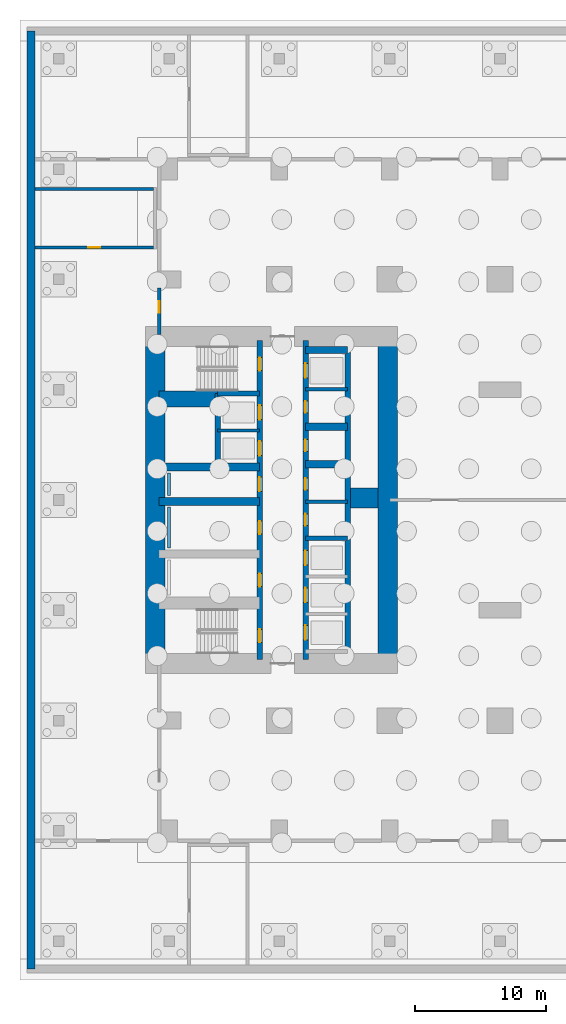
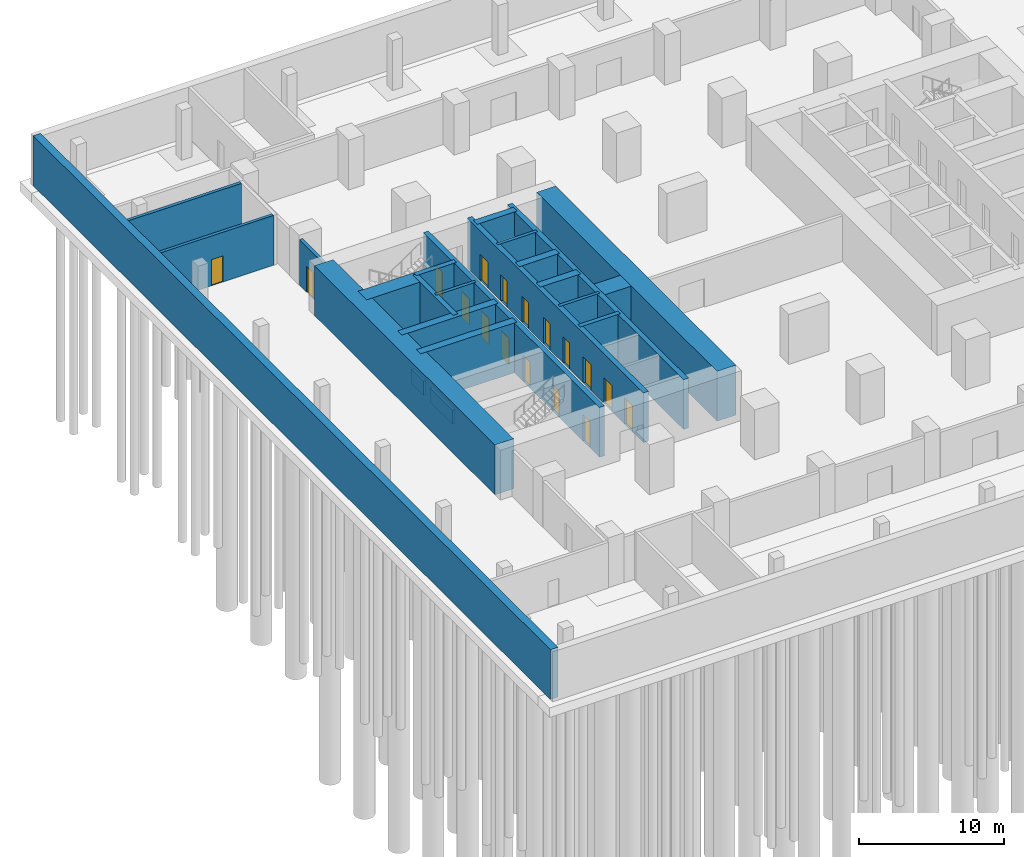
# One storey, part 5 of 11: 24 walls, 17 doors, 17 openings.
"""IFC4 building model written with IfcOpenShell, lengths in metres."""

import ifcopenshell
import ifcopenshell.guid

model = None  # the IFC model being written
_history = None  # IfcOwnerHistory: only IFC2X3 demands one
_inside = {}  # id of a spatial element -> (the spatial element, [elements in it])
_under = {}  # id of a project, library or spatial element -> (it, [spatial elements below it])
_declared = {}  # id of a project -> (the project, [libraries it declares])
_typed = {}  # id of a type object -> (the type object, [elements of that type])
_made_of = {}  # id of a material, layer set ... -> (it, [elements and type objects made of it])


def new_model(schema):
    """Start an empty IFC model of exactly this schema.

    Asked for "IFC4X3", IfcOpenShell would pick the latest addendum, in which some entities
    have other attributes; the version numbers below select the first issue.
    IFC2X3 requires an IfcOwnerHistory on every rooted entity: one is made here for all.
    """
    global model, _history
    if schema == "IFC4X3":
        model = ifcopenshell.file(schema_version=(4, 3, 0, 0))
    else:
        model = ifcopenshell.file(schema=schema)
    _inside.clear()
    _under.clear()
    _declared.clear()
    _typed.clear()
    _made_of.clear()
    _history = None
    if model.schema == "IFC2X3":
        org = make("IfcOrganization", Name="unknown")
        user = make(
            "IfcPersonAndOrganization",
            ThePerson=make("IfcPerson", FamilyName="unknown"),
            TheOrganization=org,
        )
        app = make(
            "IfcApplication",
            ApplicationDeveloper=org,
            Version="unknown",
            ApplicationFullName="unknown",
            ApplicationIdentifier="unknown",
        )
        _history = make(
            "IfcOwnerHistory",
            OwningUser=user,
            OwningApplication=app,
            ChangeAction="ADDED",
            CreationDate=0,
        )
    return model


def make(cls, **values):
    """One entity of the class cls with the attributes given. An attribute that is None is left unset."""
    return model.create_entity(
        cls, **{name: value for name, value in values.items() if value is not None}
    )


def rooted(cls, **values):
    """An entity with a GlobalId (a new one), such as an element, a storey or a relation."""
    return make(cls, GlobalId=ifcopenshell.guid.new(), OwnerHistory=_history, **values)


def si_unit(unit_type, name, prefix=None):
    """IfcSIUnit, for example si_unit("LENGTHUNIT", "METRE", prefix="MILLI")."""
    return make("IfcSIUnit", UnitType=unit_type, Prefix=prefix, Name=name)


def assignment(units):
    """IfcUnitAssignment: the units of a project."""
    return None if units is None else make("IfcUnitAssignment", Units=units)


def point(xyz):
    """IfcCartesianPoint."""
    return None if xyz is None else make("IfcCartesianPoint", Coordinates=xyz)


def direction(xyz):
    """IfcDirection."""
    return None if xyz is None else make("IfcDirection", DirectionRatios=xyz)


def frame(location, z_axis=None, x_axis=None):
    """IfcAxis2Placement3D, a coordinate frame: its origin and axes. An axis left out is left unset."""
    return make(
        "IfcAxis2Placement3D",
        Location=point(location),
        Axis=direction(z_axis),
        RefDirection=direction(x_axis),
    )


def frame_2d(location, x_axis=None):
    """IfcAxis2Placement2D, a coordinate frame in the plane: its origin and x axis."""
    return make(
        "IfcAxis2Placement2D", Location=point(location), RefDirection=direction(x_axis)
    )


def origin():
    """The frame at (0, 0, 0) with its axes left unset."""
    return frame((0.0, 0.0, 0.0))


def place(relative_to, where):
    """IfcLocalPlacement: puts the frame where relative to a parent placement (None: the world)."""
    return make(
        "IfcLocalPlacement", PlacementRelTo=relative_to, RelativePlacement=where
    )


def context(
    kind, dimensions, precision=None, world=None, true_north=None, identifier=None
):
    """IfcGeometricRepresentationContext, for example the 3D "Model" context."""
    return make(
        "IfcGeometricRepresentationContext",
        ContextIdentifier=identifier,
        ContextType=kind,
        CoordinateSpaceDimension=dimensions,
        Precision=precision,
        WorldCoordinateSystem=world,
        TrueNorth=true_north,
    )


def subcontext(parent, identifier, kind, view, scale=None):
    """IfcGeometricRepresentationSubContext, for example "Body" below "Model"."""
    return make(
        "IfcGeometricRepresentationSubContext",
        ContextIdentifier=identifier,
        ContextType=kind,
        ParentContext=parent,
        TargetScale=scale,
        TargetView=view,
    )


def project(units=None, contexts=None):
    """IfcProject with its units and contexts."""
    return rooted(
        "IfcProject",
        Name="project",
        RepresentationContexts=contexts,
        UnitsInContext=assignment(units),
    )


def spatial(cls, under=None, at=None, **own):
    """A site, building, storey or space (cls), placed at a placement, below another one or the project."""
    s = rooted(cls, ObjectPlacement=at, **own)
    if under is not None:
        _under.setdefault(under.id(), (under, []))[1].append(s)
    return s


def profile(cls, at=None, kind="AREA", **sizes):
    """A parametric profile (cls). Its sizes go by their IFC names, for example OverallWidth=200.0."""
    return make(cls, ProfileType=kind, Position=at, **sizes)


def rectangle(**sizes):
    """IfcRectangleProfileDef."""
    return profile("IfcRectangleProfileDef", **sizes)


def extrude(swept, where, along, depth):
    """IfcExtrudedAreaSolid: the profile swept, set in the frame where, extruded along a direction by depth."""
    return make(
        "IfcExtrudedAreaSolid",
        SweptArea=swept,
        Position=where,
        ExtrudedDirection=direction(along),
        Depth=depth,
    )


def shape(context_of_items, identifier, shape_type, items):
    """IfcShapeRepresentation: the items that make up one representation, for example the "Body"."""
    return make(
        "IfcShapeRepresentation",
        ContextOfItems=context_of_items,
        RepresentationIdentifier=identifier,
        RepresentationType=shape_type,
        Items=items,
    )


def material(Name=None, Category=None):
    """IfcMaterial."""
    return make("IfcMaterial", Name=Name, Category=Category)


def layer(
    of_material, thickness, ventilated=None, Name=None, Category=None, Priority=None
):
    """IfcMaterialLayer: one layer of a wall or slab, of a material (None: an air gap)."""
    return make(
        "IfcMaterialLayer",
        Material=of_material,
        LayerThickness=thickness,
        IsVentilated=ventilated,
        Name=Name,
        Category=Category,
        Priority=Priority,
    )


def layer_set(layers, Name=None):
    """IfcMaterialLayerSet."""
    return make("IfcMaterialLayerSet", MaterialLayers=layers, LayerSetName=Name)


def made_of(thing, what):
    """Note that an element or type object is made of a material, layer set ...; save() writes the relation."""
    if what is not None:
        _made_of.setdefault(what.id(), (what, []))[1].append(thing)
    return thing


def type_object(cls, material=None, **own):
    """A type object (cls), such as IfcWallType, which elements share."""
    return made_of(rooted(cls, **own), material)


def element(
    cls,
    number,
    at=None,
    inside=None,
    cuts=None,
    type_object=None,
    material=None,
    context=None,
    identifier="Body",
    shape_type=None,
    held_by="IfcProductDefinitionShape",
    body=None,
    shapes=None,
    **own,
):
    """One element of the class cls, such as IfcWall. Its Tag is "e" and its number.

    at: its placement. inside: the storey or other place that contains it. cuts: it is an
    opening in that element (IfcRelVoidsElement). A single representation is given by context,
    identifier, shape_type and body (its items); several are given by shapes. held_by: the class
    of the entity that holds the representations. save() writes the other relations.
    """
    e = rooted(cls, Tag="e%d" % number, ObjectPlacement=at, **own)
    if body is not None:
        shapes = [shape(context, identifier, shape_type, body)]
    if shapes is not None:
        e.Representation = make(held_by, Representations=shapes)
    if inside is not None:
        _inside.setdefault(inside.id(), (inside, []))[1].append(e)
    if cuts is not None:
        rooted(
            "IfcRelVoidsElement", RelatingBuildingElement=cuts, RelatedOpeningElement=e
        )
    if type_object is not None:
        _typed.setdefault(type_object.id(), (type_object, []))[1].append(e)
    return made_of(e, material)


def fill(opening, filler):
    """IfcRelFillsElement: the door or window that sits in an opening."""
    return rooted(
        "IfcRelFillsElement",
        RelatingOpeningElement=opening,
        RelatedBuildingElement=filler,
    )


def aggregate(whole, parts):
    """IfcRelAggregates: a whole, such as a stair, and the parts it consists of."""
    return rooted("IfcRelAggregates", RelatingObject=whole, RelatedObjects=parts)


def save(model, path):
    """Write the relations noted so far, then the file.

    IfcRelAggregates (storeys below a building ...), IfcRelContainedInSpatialStructure (elements
    in a storey), IfcRelDefinesByType, IfcRelAssociatesMaterial and IfcRelDeclares: one each for
    every whole, place, type object, material and project.
    """
    for whole, parts in _under.values():
        aggregate(whole, parts)
    for where, things in _inside.values():
        rooted(
            "IfcRelContainedInSpatialStructure",
            RelatedElements=things,
            RelatingStructure=where,
        )
    for kind, things in _typed.values():
        rooted("IfcRelDefinesByType", RelatedObjects=things, RelatingType=kind)
    for what, things in _made_of.values():
        rooted("IfcRelAssociatesMaterial", RelatedObjects=things, RelatingMaterial=what)
    for by, libraries in _declared.values():
        rooted("IfcRelDeclares", RelatingContext=by, RelatedDefinitions=libraries)
    model.write(path)


model = new_model("IFC4")

# Units and contexts
model_context = context("Model", 3, precision=1e-05, world=origin(), true_north=direction((0.0, 1.0)))
body_context = subcontext(model_context, "Body", "Model", "MODEL_VIEW")
ifc_project = project(units=[si_unit("LENGTHUNIT", "METRE"), si_unit("AREAUNIT", "SQUARE_METRE"), si_unit("VOLUMEUNIT", "CUBIC_METRE"), si_unit("PLANEANGLEUNIT", "RADIAN"), si_unit("MASSUNIT", "GRAM", prefix="KILO")], contexts=[model_context])

# Site, building, storey
site_placement = place(None, origin())
site = spatial("IfcSite", under=ifc_project, at=site_placement, CompositionType="ELEMENT")
building_placement = place(site_placement, origin())
building = spatial("IfcBuilding", under=site, at=building_placement, Name="Claustro Exchange Tower", CompositionType="ELEMENT")
storey_placement = place(building_placement, frame((0.0, 0.0, -8.39990234375)))
storey = spatial("IfcBuildingStorey", under=building, at=storey_placement, Name="B2", CompositionType="ELEMENT", Elevation=-8.39990234375)

# Wall, opening, door
ifc_material_1 = material(Name="Concrete blockwork, rendered", Category="masonry")
ifc_layer_1 = layer(ifc_material_1, 0.25)
ifc_layer_set_1 = layer_set([ifc_layer_1], Name="Concrete blockwork, rendered")
wall_type_1 = type_object("IfcWallType", Name="P4 250 blockwork wall", PredefinedType="PARTITIONING", material=ifc_layer_set_1)
wall_1_placement = place(storey_placement, frame((-0.75, 37.820068359375, 0.0), z_axis=(0.0, 0.0, 1.0), x_axis=(0.0, 1.0, 0.0)))
wall_1 = element("IfcWall", 1, at=wall_1_placement, inside=storey, type_object=wall_type_1, Name="Partition P4 B2", PredefinedType="PARTITIONING", context=body_context, shape_type="SweptSolid", body=[
    extrude(rectangle(XDim=3.531005859375, YDim=0.25, at=frame_2d((1.765625, 0.0))), origin(), (0.0, 0.0, 1.0), 3.849853515625),
])
opening_1_placement = place(wall_1_placement, frame((1.6298828125, 0.0, 0.0)))
opening_1 = element("IfcOpeningElement", 2, at=opening_1_placement, cuts=wall_1, Name="Opening D12", PredefinedType="OPENING", context=body_context, shape_type="SweptSolid", body=[
    extrude(rectangle(XDim=0.89990234375, YDim=2.199951171875, at=frame_2d((0.449951171875, 1.10009765625))), frame((0.0, 0.135009765625, 0.0), z_axis=(0.0, -1.0, 0.0), x_axis=(1.0, 0.0, 0.0)), (0.0, 0.0, 1.0), 0.27001953125),
])
ifc_material_2 = material(Name="Steel door, painted", Category="steel")
door_type_1 = type_object("IfcDoorType", Name="D12 900 x 2200 plant and store room door", OperationType="SINGLE_SWING_LEFT", PredefinedType="DOOR", material=ifc_material_2)
door_1_placement = place(opening_1_placement, origin())
door_1 = element("IfcDoor", 3, at=door_1_placement, inside=storey, type_object=door_type_1, Name="Door D12 B2", OperationType="SINGLE_SWING_LEFT", OverallHeight=2.199951171875, OverallWidth=0.89990234375, PredefinedType="DOOR", context=body_context, shape_type="SweptSolid", body=[
    extrude(rectangle(XDim=0.89990234375, YDim=2.199951171875, at=frame_2d((0.449951171875, 1.10009765625))), frame((0.0, 0.02490234375, 0.0), z_axis=(0.0, -1.0, 0.0), x_axis=(1.0, 0.0, 0.0)), (0.0, 0.0, 1.0), 0.050048828125),
])
fill(opening_1, door_1)

# Walls
ifc_material_3 = material(Name="Gypsum board on steel studs, tiled", Category="steel")
ifc_layer_2 = layer(ifc_material_3, 0.199951171875)
ifc_layer_set_2 = layer_set([ifc_layer_2], Name="Gypsum board on steel studs, tiled")
wall_type_2 = type_object("IfcWallType", Name="PW1 200 WC duct wall", PredefinedType="PLUMBINGWALL", material=ifc_layer_set_2)
wall_2_placement = place(storey_placement, frame((0.0, 21.550048828125, 0.0), z_axis=(0.0, 0.0, 1.0), x_axis=(0.0, 1.0, 0.0)))
element("IfcWall", 4, at=wall_2_placement, inside=storey, type_object=wall_type_2, Name="WC duct wall PW1 B2", PredefinedType="PLUMBINGWALL", context=body_context, shape_type="SweptSolid", body=[
    extrude(rectangle(XDim=3.099853515625, YDim=0.199951171875, at=frame_2d((1.5498046875, 0.0))), origin(), (0.0, 0.0, 1.0), 1.199951171875),
])
wall_3_placement = place(storey_placement, frame((0.0, 25.550048828125, 0.0), z_axis=(0.0, 0.0, 1.0), x_axis=(0.0, 1.0, 0.0)))
element("IfcWall", 5, at=wall_3_placement, inside=storey, type_object=wall_type_2, Name="WC duct wall PW1 B2", PredefinedType="PLUMBINGWALL", context=body_context, shape_type="SweptSolid", body=[
    extrude(rectangle(XDim=1.699951171875, YDim=0.199951171875, at=frame_2d((0.85009765625, 0.0))), origin(), (0.0, 0.0, 1.0), 1.199951171875),
])
ifc_material_4 = material(Name="Concrete HA-40 (C40/50)", Category="concrete")
ifc_layer_3 = layer(ifc_material_4, 0.60009765625)
ifc_layer_set_3 = layer_set([ifc_layer_3], Name="Concrete HA-40 (C40/50)")
wall_type_3 = type_object("IfcWallType", Name="RW1 600 basement retaining wall", PredefinedType="SOLIDWALL", material=ifc_layer_set_3)
wall_4_placement = place(storey_placement, frame((-10.5, -10.5, 0.0), z_axis=(0.0, 0.0, 1.0), x_axis=(0.0, 1.0, 0.0)))
element("IfcWall", 6, at=wall_4_placement, inside=storey, type_object=wall_type_3, Name="Retaining wall RW1 W B2", PredefinedType="SOLIDWALL", context=body_context, shape_type="SweptSolid", body=[
    extrude(rectangle(XDim=71.39990234375, YDim=0.60009765625, at=frame_2d((35.699951171875, 0.0))), origin(), (0.0, 0.0, 1.0), 4.199951171875),
])
ifc_material_5 = material(Name="Concrete HA-70 (C70/85)", Category="concrete")
ifc_layer_4 = layer(ifc_material_5, 1.5)
ifc_layer_set_4 = layer_set([ifc_layer_4], Name="Concrete HA-70 (C70/85)")
wall_type_4 = type_object("IfcWallType", Name="SW10X 1500 exposed core shear wall, board-marked face", PredefinedType="SHEAR", material=ifc_layer_set_4)
for number, where, z_axis, x_axis, name in (
    (7, (-1.050048828125, 12.75, 0.0), (0.0, 0.0, 1.0), (0.0, 1.0, 0.0), "Core wall SW10X W core W face B2"),
    (8, (16.64990234375, 12.75, 0.0), (0.0, 0.0, 1.0), (0.0, 1.0, 0.0), "Core wall SW10X W core E face B2"),
):
    element("IfcWall", number, at=place(storey_placement, frame(where, z_axis=z_axis, x_axis=x_axis)), inside=storey, type_object=wall_type_4, Name=name, PredefinedType="SHEAR", context=body_context, shape_type="SweptSolid", body=[
        extrude(rectangle(XDim=24.89990234375, YDim=1.5, at=frame_2d((12.449951171875, 0.0))), origin(), (0.0, 0.0, 1.0), 4.199951171875),
    ])
ifc_material_6 = material(Name="Concrete HA-50 (C50/60)", Category="concrete")
ifc_layer_5 = layer(ifc_material_6, 0.60009765625)
ifc_layer_set_5 = layer_set([ifc_layer_5], Name="Concrete HA-50 (C50/60)")
wall_type_5 = type_object("IfcWallType", Name="SW12 600 internal core wall, core base", PredefinedType="SHEAR", material=ifc_layer_set_5)
for number, where, z_axis, x_axis, name in (
    (9, (-0.75, 25.10009765625, 0.0), (0.0, 0.0, 1.0), (1.0, 0.0, 0.0), "Internal core wall W core B2"),
    (10, (-0.75, 27.699951171875, 0.0), (0.0, 0.0, 1.0), (1.0, 0.0, 0.0), "Internal core wall W core B2"),
):
    element("IfcWall", number, at=place(storey_placement, frame(where, z_axis=z_axis, x_axis=x_axis)), inside=storey, type_object=wall_type_5, Name=name, PredefinedType="SHEAR", context=body_context, shape_type="SweptSolid", body=[
        extrude(rectangle(XDim=7.64990234375, YDim=0.60009765625, at=frame_2d((3.824951171875, 0.0))), origin(), (0.0, 0.0, 1.0), 4.199951171875),
    ])
ifc_material_7 = material(Name="Concrete HA-70 (C70/85)", Category="concrete")
ifc_layer_6 = layer(ifc_material_7, 1.5)
ifc_layer_set_6 = layer_set([ifc_layer_6], Name="Concrete HA-70 (C70/85)")
wall_type_6 = type_object("IfcWallType", Name="SW13 1500 internal core wall, core base", PredefinedType="SHEAR", material=ifc_layer_set_6)
wall_5_placement = place(storey_placement, frame((13.800048828125, 25.35009765625, 0.0), z_axis=(0.0, 0.0, 1.0), x_axis=(1.0, 0.0, 0.0)))
element("IfcWall", 11, at=wall_5_placement, inside=storey, type_object=wall_type_6, Name="Internal core wall W core B2", PredefinedType="SHEAR", context=body_context, shape_type="SweptSolid", body=[
    extrude(rectangle(XDim=2.099853515625, YDim=1.5, at=frame_2d((1.0498046875, 0.0))), origin(), (0.0, 0.0, 1.0), 4.199951171875),
])

# Wall, openings, doors
ifc_material_8 = material(Name="Concrete HA-70 (C70/85)", Category="concrete")
ifc_layer_7 = layer(ifc_material_8, 0.39990234375)
ifc_layer_set_7 = layer_set([ifc_layer_7], Name="Concrete HA-70 (C70/85)")
wall_type_7 = type_object("IfcWallType", Name="SW4B 400 internal core wall HA-70", PredefinedType="SHEAR", material=ifc_layer_set_7)
wall_6_placement = place(storey_placement, frame((6.89990234375, 13.050048828125, 0.0), z_axis=(0.0, 0.0, 1.0), x_axis=(0.0, 1.0, 0.0)))
wall_6 = element("IfcWall", 12, at=wall_6_placement, inside=storey, type_object=wall_type_7, Name="Internal core wall SW4 W core B2", PredefinedType="SHEAR", context=body_context, shape_type="SweptSolid", body=[
    extrude(rectangle(XDim=24.300048828125, YDim=0.39990234375, at=frame_2d((12.14990234375, 0.0))), origin(), (0.0, 0.0, 1.0), 4.199951171875),
])
opening_2_placement = place(wall_6_placement, frame((1.300048828125, 0.0, 0.0)))
opening_2 = element("IfcOpeningElement", 13, at=opening_2_placement, cuts=wall_6, Name="Opening D4", PredefinedType="OPENING", context=body_context, shape_type="SweptSolid", body=[
    extrude(rectangle(XDim=1.0, YDim=2.199951171875, at=frame_2d((0.5, 1.10009765625))), frame((0.0, 0.2099609375, 0.0), z_axis=(0.0, -1.0, 0.0), x_axis=(1.0, 0.0, 0.0)), (0.0, 0.0, 1.0), 0.419921875),
])
opening_3_placement = place(wall_6_placement, frame((22.0, 0.0, 0.0)))
opening_3 = element("IfcOpeningElement", 14, at=opening_3_placement, cuts=wall_6, Name="Opening D4", PredefinedType="OPENING", context=body_context, shape_type="SweptSolid", body=[
    extrude(rectangle(XDim=1.0, YDim=2.199951171875, at=frame_2d((0.5, 1.10009765625))), frame((0.0, 0.2099609375, 0.0), z_axis=(0.0, -1.0, 0.0), x_axis=(1.0, 0.0, 0.0)), (0.0, 0.0, 1.0), 0.419921875),
])
opening_4_placement = place(wall_6_placement, frame((5.550048828125, 0.0, 0.0)))
opening_4 = element("IfcOpeningElement", 15, at=opening_4_placement, cuts=wall_6, Name="Opening D1", PredefinedType="OPENING", context=body_context, shape_type="SweptSolid", body=[
    extrude(rectangle(XDim=1.0, YDim=2.199951171875, at=frame_2d((0.5, 1.10009765625))), frame((0.0, 0.2099609375, 0.0), z_axis=(0.0, -1.0, 0.0), x_axis=(1.0, 0.0, 0.0)), (0.0, 0.0, 1.0), 0.419921875),
])
opening_5_placement = place(wall_6_placement, frame((9.550048828125, 0.0, 0.0)))
opening_5 = element("IfcOpeningElement", 16, at=opening_5_placement, cuts=wall_6, Name="Opening D1", PredefinedType="OPENING", context=body_context, shape_type="SweptSolid", body=[
    extrude(rectangle(XDim=1.0, YDim=2.199951171875, at=frame_2d((0.5, 1.10009765625))), frame((0.0, 0.2099609375, 0.0), z_axis=(0.0, -1.0, 0.0), x_axis=(1.0, 0.0, 0.0)), (0.0, 0.0, 1.0), 0.419921875),
])
opening_6_placement = place(wall_6_placement, frame((12.800048828125, 0.0, 0.0)))
opening_6 = element("IfcOpeningElement", 17, at=opening_6_placement, cuts=wall_6, Name="Opening D10", PredefinedType="OPENING", context=body_context, shape_type="SweptSolid", body=[
    extrude(rectangle(XDim=1.10009765625, YDim=2.199951171875, at=frame_2d((0.550048828125, 1.10009765625))), frame((0.0, 0.2099609375, 0.0), z_axis=(0.0, -1.0, 0.0), x_axis=(1.0, 0.0, 0.0)), (0.0, 0.0, 1.0), 0.419921875),
])
opening_7_placement = place(wall_6_placement, frame((15.53759765625, 0.0, 0.0)))
opening_7 = element("IfcOpeningElement", 18, at=opening_7_placement, cuts=wall_6, Name="Opening LD", PredefinedType="OPENING", context=body_context, shape_type="SweptSolid", body=[
    extrude(rectangle(XDim=1.10009765625, YDim=2.199951171875, at=frame_2d((0.550048828125, 1.10009765625))), frame((0.0, 0.2099609375, 0.0), z_axis=(0.0, -1.0, 0.0), x_axis=(1.0, 0.0, 0.0)), (0.0, 0.0, 1.0), 0.419921875),
])
opening_8_placement = place(wall_6_placement, frame((18.262451171875, 0.0, 0.0)))
opening_8 = element("IfcOpeningElement", 19, at=opening_8_placement, cuts=wall_6, Name="Opening LD", PredefinedType="OPENING", context=body_context, shape_type="SweptSolid", body=[
    extrude(rectangle(XDim=1.10009765625, YDim=2.199951171875, at=frame_2d((0.550048828125, 1.10009765625))), frame((0.0, 0.2099609375, 0.0), z_axis=(0.0, -1.0, 0.0), x_axis=(1.0, 0.0, 0.0)), (0.0, 0.0, 1.0), 0.419921875),
])
ifc_material_9 = material(Name="Timber door, oak veneer", Category="wood")
door_type_2 = type_object("IfcDoorType", Name="D1 1000 x 2200 single door", OperationType="SINGLE_SWING_LEFT", PredefinedType="DOOR", material=ifc_material_9)
door_2_placement = place(opening_4_placement, origin())
door_2 = element("IfcDoor", 20, at=door_2_placement, inside=storey, type_object=door_type_2, Name="Door D1 B2", OperationType="SINGLE_SWING_LEFT", OverallHeight=2.199951171875, OverallWidth=1.0, PredefinedType="DOOR", context=body_context, shape_type="SweptSolid", body=[
    extrude(rectangle(XDim=1.0, YDim=2.199951171875, at=frame_2d((0.5, 1.10009765625))), frame((0.0, 0.02490234375, 0.0), z_axis=(0.0, -1.0, 0.0), x_axis=(1.0, 0.0, 0.0)), (0.0, 0.0, 1.0), 0.050048828125),
])
fill(opening_4, door_2)
door_3_placement = place(opening_5_placement, origin())
door_3 = element("IfcDoor", 21, at=door_3_placement, inside=storey, type_object=door_type_2, Name="Door D1 B2", OperationType="SINGLE_SWING_RIGHT", OverallHeight=2.199951171875, OverallWidth=1.0, PredefinedType="DOOR", context=body_context, shape_type="SweptSolid", body=[
    extrude(rectangle(XDim=1.0, YDim=2.199951171875, at=frame_2d((0.5, 1.10009765625))), frame((0.0, 0.02490234375, 0.0), z_axis=(0.0, -1.0, 0.0), x_axis=(1.0, 0.0, 0.0)), (0.0, 0.0, 1.0), 0.050048828125),
])
fill(opening_5, door_3)
ifc_material_10 = material(Name="Timber door, oak veneer", Category="wood")
door_type_3 = type_object("IfcDoorType", Name="D10 1100 x 2200 accessible WC door", OperationType="SINGLE_SWING_LEFT", PredefinedType="DOOR", material=ifc_material_10)
door_4_placement = place(opening_6_placement, frame((1.10009765625, 0.0, 0.0), z_axis=(0.0, 0.0, 1.0), x_axis=(-1.0, 0.0, 0.0)))
door_4 = element("IfcDoor", 22, at=door_4_placement, inside=storey, type_object=door_type_3, Name="Accessible WC door D10 B2", OperationType="SINGLE_SWING_LEFT", OverallHeight=2.199951171875, OverallWidth=1.10009765625, PredefinedType="DOOR", context=body_context, shape_type="SweptSolid", body=[
    extrude(rectangle(XDim=1.10009765625, YDim=2.199951171875, at=frame_2d((0.550048828125, 1.10009765625))), frame((0.0, 0.02490234375, 0.0), z_axis=(0.0, -1.0, 0.0), x_axis=(1.0, 0.0, 0.0)), (0.0, 0.0, 1.0), 0.050048828125),
])
fill(opening_6, door_4)
ifc_material_11 = material(Name="Steel fire door, painted", Category="steel")
door_type_4 = type_object("IfcDoorType", Name="D4 1000 x 2200 fire-rated stair door", OperationType="SINGLE_SWING_LEFT", PredefinedType="DOOR", material=ifc_material_11)
door_5_placement = place(opening_2_placement, origin())
door_5 = element("IfcDoor", 23, at=door_5_placement, inside=storey, type_object=door_type_4, Name="Stair door D4 B2", OperationType="SINGLE_SWING_LEFT", OverallHeight=2.199951171875, OverallWidth=1.0, PredefinedType="DOOR", context=body_context, shape_type="SweptSolid", body=[
    extrude(rectangle(XDim=1.0, YDim=2.199951171875, at=frame_2d((0.5, 1.10009765625))), frame((0.0, 0.02490234375, 0.0), z_axis=(0.0, -1.0, 0.0), x_axis=(1.0, 0.0, 0.0)), (0.0, 0.0, 1.0), 0.050048828125),
])
fill(opening_2, door_5)
door_6_placement = place(opening_3_placement, origin())
door_6 = element("IfcDoor", 24, at=door_6_placement, inside=storey, type_object=door_type_4, Name="Stair door D4 B2", OperationType="SINGLE_SWING_RIGHT", OverallHeight=2.199951171875, OverallWidth=1.0, PredefinedType="DOOR", context=body_context, shape_type="SweptSolid", body=[
    extrude(rectangle(XDim=1.0, YDim=2.199951171875, at=frame_2d((0.5, 1.10009765625))), frame((0.0, 0.02490234375, 0.0), z_axis=(0.0, -1.0, 0.0), x_axis=(1.0, 0.0, 0.0)), (0.0, 0.0, 1.0), 0.050048828125),
])
fill(opening_3, door_6)
ifc_material_12 = material(Name="Stainless steel sliding door", Category="steel")
door_type_5 = type_object("IfcDoorType", Name="LD 1100 x 2200 lift landing door", OperationType="DOUBLE_DOOR_SLIDING", PredefinedType="DOOR", material=ifc_material_12)
door_7_placement = place(opening_7_placement, origin())
door_7 = element("IfcDoor", 25, at=door_7_placement, inside=storey, type_object=door_type_5, Name="Lift landing door LEW1 LD B2", OperationType="DOUBLE_DOOR_SLIDING", OverallHeight=2.199951171875, OverallWidth=1.10009765625, PredefinedType="DOOR", context=body_context, shape_type="SweptSolid", body=[
    extrude(rectangle(XDim=1.10009765625, YDim=2.199951171875, at=frame_2d((0.550048828125, 1.10009765625))), frame((0.0, 0.02490234375, 0.0), z_axis=(0.0, -1.0, 0.0), x_axis=(1.0, 0.0, 0.0)), (0.0, 0.0, 1.0), 0.050048828125),
])
fill(opening_7, door_7)
door_8_placement = place(opening_8_placement, origin())
door_8 = element("IfcDoor", 26, at=door_8_placement, inside=storey, type_object=door_type_5, Name="Lift landing door LEW2 LD B2", OperationType="DOUBLE_DOOR_SLIDING", OverallHeight=2.199951171875, OverallWidth=1.10009765625, PredefinedType="DOOR", context=body_context, shape_type="SweptSolid", body=[
    extrude(rectangle(XDim=1.10009765625, YDim=2.199951171875, at=frame_2d((0.550048828125, 1.10009765625))), frame((0.0, 0.02490234375, 0.0), z_axis=(0.0, -1.0, 0.0), x_axis=(1.0, 0.0, 0.0)), (0.0, 0.0, 1.0), 0.050048828125),
])
fill(opening_8, door_8)

wall_7_placement = place(storey_placement, frame((10.39990234375, 13.050048828125, 0.0), z_axis=(0.0, 0.0, 1.0), x_axis=(0.0, 1.0, 0.0)))
wall_7 = element("IfcWall", 27, at=wall_7_placement, inside=storey, type_object=wall_type_7, Name="Internal core wall SW4 W core B2", PredefinedType="SHEAR", context=body_context, shape_type="SweptSolid", body=[
    extrude(rectangle(XDim=24.300048828125, YDim=0.39990234375, at=frame_2d((12.14990234375, 0.0))), origin(), (0.0, 0.0, 1.0), 4.199951171875),
])
opening_9_placement = place(wall_7_placement, frame((1.5, 0.0, 0.0)))
opening_9 = element("IfcOpeningElement", 28, at=opening_9_placement, cuts=wall_7, Name="Opening LD", PredefinedType="OPENING", context=body_context, shape_type="SweptSolid", body=[
    extrude(rectangle(XDim=1.10009765625, YDim=2.199951171875, at=frame_2d((0.550048828125, 1.10009765625))), frame((0.0, 0.2099609375, 0.0), z_axis=(0.0, -1.0, 0.0), x_axis=(1.0, 0.0, 0.0)), (0.0, 0.0, 1.0), 0.419921875),
])
opening_10_placement = place(wall_7_placement, frame((4.35009765625, 0.0, 0.0)))
opening_10 = element("IfcOpeningElement", 29, at=opening_10_placement, cuts=wall_7, Name="Opening LD", PredefinedType="OPENING", context=body_context, shape_type="SweptSolid", body=[
    extrude(rectangle(XDim=1.10009765625, YDim=2.199951171875, at=frame_2d((0.550048828125, 1.10009765625))), frame((0.0, 0.2099609375, 0.0), z_axis=(0.0, -1.0, 0.0), x_axis=(1.0, 0.0, 0.0)), (0.0, 0.0, 1.0), 0.419921875),
])
opening_11_placement = place(wall_7_placement, frame((7.199951171875, 0.0, 0.0)))
opening_11 = element("IfcOpeningElement", 30, at=opening_11_placement, cuts=wall_7, Name="Opening LD", PredefinedType="OPENING", context=body_context, shape_type="SweptSolid", body=[
    extrude(rectangle(XDim=1.10009765625, YDim=2.199951171875, at=frame_2d((0.550048828125, 1.10009765625))), frame((0.0, 0.2099609375, 0.0), z_axis=(0.0, -1.0, 0.0), x_axis=(1.0, 0.0, 0.0)), (0.0, 0.0, 1.0), 0.419921875),
])
opening_12_placement = place(wall_7_placement, frame((21.449951171875, 0.0, 0.0)))
opening_12 = element("IfcOpeningElement", 31, at=opening_12_placement, cuts=wall_7, Name="Opening LD", PredefinedType="OPENING", context=body_context, shape_type="SweptSolid", body=[
    extrude(rectangle(XDim=1.10009765625, YDim=2.199951171875, at=frame_2d((0.550048828125, 1.10009765625))), frame((0.0, 0.2099609375, 0.0), z_axis=(0.0, -1.0, 0.0), x_axis=(1.0, 0.0, 0.0)), (0.0, 0.0, 1.0), 0.419921875),
])
opening_13_placement = place(wall_7_placement, frame((10.199951171875, 0.0, 0.0)))
opening_13 = element("IfcOpeningElement", 32, at=opening_13_placement, cuts=wall_7, Name="Opening D5", PredefinedType="OPENING", context=body_context, shape_type="SweptSolid", body=[
    extrude(rectangle(XDim=0.89990234375, YDim=2.199951171875, at=frame_2d((0.449951171875, 1.10009765625))), frame((0.0, 0.2099609375, 0.0), z_axis=(0.0, -1.0, 0.0), x_axis=(1.0, 0.0, 0.0)), (0.0, 0.0, 1.0), 0.419921875),
])
opening_14_placement = place(wall_7_placement, frame((12.91259765625, 0.0, 0.0)))
opening_14 = element("IfcOpeningElement", 33, at=opening_14_placement, cuts=wall_7, Name="Opening D5", PredefinedType="OPENING", context=body_context, shape_type="SweptSolid", body=[
    extrude(rectangle(XDim=0.89990234375, YDim=2.199951171875, at=frame_2d((0.449951171875, 1.10009765625))), frame((0.0, 0.2099609375, 0.0), z_axis=(0.0, -1.0, 0.0), x_axis=(1.0, 0.0, 0.0)), (0.0, 0.0, 1.0), 0.419921875),
])
opening_15_placement = place(wall_7_placement, frame((15.85009765625, 0.0, 0.0)))
opening_15 = element("IfcOpeningElement", 34, at=opening_15_placement, cuts=wall_7, Name="Opening D5", PredefinedType="OPENING", context=body_context, shape_type="SweptSolid", body=[
    extrude(rectangle(XDim=0.89990234375, YDim=2.199951171875, at=frame_2d((0.449951171875, 1.10009765625))), frame((0.0, 0.2099609375, 0.0), z_axis=(0.0, -1.0, 0.0), x_axis=(1.0, 0.0, 0.0)), (0.0, 0.0, 1.0), 0.419921875),
])
opening_16_placement = place(wall_7_placement, frame((18.78759765625, 0.0, 0.0)))
opening_16 = element("IfcOpeningElement", 35, at=opening_16_placement, cuts=wall_7, Name="Opening D5", PredefinedType="OPENING", context=body_context, shape_type="SweptSolid", body=[
    extrude(rectangle(XDim=0.89990234375, YDim=2.199951171875, at=frame_2d((0.449951171875, 1.10009765625))), frame((0.0, 0.2099609375, 0.0), z_axis=(0.0, -1.0, 0.0), x_axis=(1.0, 0.0, 0.0)), (0.0, 0.0, 1.0), 0.419921875),
])
ifc_material_13 = material(Name="Steel door, painted", Category="steel")
door_type_6 = type_object("IfcDoorType", Name="D5 900 x 2200 store door", OperationType="SINGLE_SWING_LEFT", PredefinedType="DOOR", material=ifc_material_13)
door_9_placement = place(opening_13_placement, frame((0.89990234375, 0.0, 0.0), z_axis=(0.0, 0.0, 1.0), x_axis=(-1.0, 0.0, 0.0)))
door_9 = element("IfcDoor", 36, at=door_9_placement, inside=storey, type_object=door_type_6, Name="Core store door D5 B2", OperationType="SINGLE_SWING_LEFT", OverallHeight=2.199951171875, OverallWidth=0.89990234375, PredefinedType="DOOR", context=body_context, shape_type="SweptSolid", body=[
    extrude(rectangle(XDim=0.89990234375, YDim=2.199951171875, at=frame_2d((0.449951171875, 1.10009765625))), frame((0.0, 0.02490234375, 0.0), z_axis=(0.0, -1.0, 0.0), x_axis=(1.0, 0.0, 0.0)), (0.0, 0.0, 1.0), 0.050048828125),
])
fill(opening_13, door_9)
door_10_placement = place(opening_14_placement, frame((0.89990234375, 0.0, 0.0), z_axis=(0.0, 0.0, 1.0), x_axis=(-1.0, 0.0, 0.0)))
door_10 = element("IfcDoor", 37, at=door_10_placement, inside=storey, type_object=door_type_6, Name="Core store door D5 B2", OperationType="SINGLE_SWING_LEFT", OverallHeight=2.199951171875, OverallWidth=0.89990234375, PredefinedType="DOOR", context=body_context, shape_type="SweptSolid", body=[
    extrude(rectangle(XDim=0.89990234375, YDim=2.199951171875, at=frame_2d((0.449951171875, 1.10009765625))), frame((0.0, 0.02490234375, 0.0), z_axis=(0.0, -1.0, 0.0), x_axis=(1.0, 0.0, 0.0)), (0.0, 0.0, 1.0), 0.050048828125),
])
fill(opening_14, door_10)
door_11_placement = place(opening_15_placement, frame((0.89990234375, 0.0, 0.0), z_axis=(0.0, 0.0, 1.0), x_axis=(-1.0, 0.0, 0.0)))
door_11 = element("IfcDoor", 38, at=door_11_placement, inside=storey, type_object=door_type_6, Name="Core store door D5 B2", OperationType="SINGLE_SWING_RIGHT", OverallHeight=2.199951171875, OverallWidth=0.89990234375, PredefinedType="DOOR", context=body_context, shape_type="SweptSolid", body=[
    extrude(rectangle(XDim=0.89990234375, YDim=2.199951171875, at=frame_2d((0.449951171875, 1.10009765625))), frame((0.0, 0.02490234375, 0.0), z_axis=(0.0, -1.0, 0.0), x_axis=(1.0, 0.0, 0.0)), (0.0, 0.0, 1.0), 0.050048828125),
])
fill(opening_15, door_11)
door_12_placement = place(opening_16_placement, frame((0.89990234375, 0.0, 0.0), z_axis=(0.0, 0.0, 1.0), x_axis=(-1.0, 0.0, 0.0)))
door_12 = element("IfcDoor", 39, at=door_12_placement, inside=storey, type_object=door_type_6, Name="Core store door D5 B2", OperationType="SINGLE_SWING_LEFT", OverallHeight=2.199951171875, OverallWidth=0.89990234375, PredefinedType="DOOR", context=body_context, shape_type="SweptSolid", body=[
    extrude(rectangle(XDim=0.89990234375, YDim=2.199951171875, at=frame_2d((0.449951171875, 1.10009765625))), frame((0.0, 0.02490234375, 0.0), z_axis=(0.0, -1.0, 0.0), x_axis=(1.0, 0.0, 0.0)), (0.0, 0.0, 1.0), 0.050048828125),
])
fill(opening_16, door_12)
door_13_placement = place(opening_9_placement, origin())
door_13 = element("IfcDoor", 40, at=door_13_placement, inside=storey, type_object=door_type_5, Name="Lift landing door LLW1 LD B2", OperationType="DOUBLE_DOOR_SLIDING", OverallHeight=2.199951171875, OverallWidth=1.10009765625, PredefinedType="DOOR", context=body_context, shape_type="SweptSolid", body=[
    extrude(rectangle(XDim=1.10009765625, YDim=2.199951171875, at=frame_2d((0.550048828125, 1.10009765625))), frame((0.0, 0.02490234375, 0.0), z_axis=(0.0, -1.0, 0.0), x_axis=(1.0, 0.0, 0.0)), (0.0, 0.0, 1.0), 0.050048828125),
])
fill(opening_9, door_13)
door_14_placement = place(opening_10_placement, origin())
door_14 = element("IfcDoor", 41, at=door_14_placement, inside=storey, type_object=door_type_5, Name="Lift landing door LLW2 LD B2", OperationType="DOUBLE_DOOR_SLIDING", OverallHeight=2.199951171875, OverallWidth=1.10009765625, PredefinedType="DOOR", context=body_context, shape_type="SweptSolid", body=[
    extrude(rectangle(XDim=1.10009765625, YDim=2.199951171875, at=frame_2d((0.550048828125, 1.10009765625))), frame((0.0, 0.02490234375, 0.0), z_axis=(0.0, -1.0, 0.0), x_axis=(1.0, 0.0, 0.0)), (0.0, 0.0, 1.0), 0.050048828125),
])
fill(opening_10, door_14)
door_15_placement = place(opening_11_placement, origin())
door_15 = element("IfcDoor", 42, at=door_15_placement, inside=storey, type_object=door_type_5, Name="Lift landing door LLW3 LD B2", OperationType="DOUBLE_DOOR_SLIDING", OverallHeight=2.199951171875, OverallWidth=1.10009765625, PredefinedType="DOOR", context=body_context, shape_type="SweptSolid", body=[
    extrude(rectangle(XDim=1.10009765625, YDim=2.199951171875, at=frame_2d((0.550048828125, 1.10009765625))), frame((0.0, 0.02490234375, 0.0), z_axis=(0.0, -1.0, 0.0), x_axis=(1.0, 0.0, 0.0)), (0.0, 0.0, 1.0), 0.050048828125),
])
fill(opening_11, door_15)
door_16_placement = place(opening_12_placement, origin())
door_16 = element("IfcDoor", 43, at=door_16_placement, inside=storey, type_object=door_type_5, Name="Lift landing door LSW1 LD B2", OperationType="DOUBLE_DOOR_SLIDING", OverallHeight=2.199951171875, OverallWidth=1.10009765625, PredefinedType="DOOR", context=body_context, shape_type="SweptSolid", body=[
    extrude(rectangle(XDim=1.10009765625, YDim=2.199951171875, at=frame_2d((0.550048828125, 1.10009765625))), frame((0.0, 0.02490234375, 0.0), z_axis=(0.0, -1.0, 0.0), x_axis=(1.0, 0.0, 0.0)), (0.0, 0.0, 1.0), 0.050048828125),
])
fill(opening_12, door_16)

# Walls
wall_8_placement = place(storey_placement, frame((13.60009765625, 13.050048828125, 0.0), z_axis=(0.0, 0.0, 1.0), x_axis=(0.0, 1.0, 0.0)))
element("IfcWall", 44, at=wall_8_placement, inside=storey, type_object=wall_type_7, Name="Internal core wall SW4 W core B2", PredefinedType="SHEAR", context=body_context, shape_type="SweptSolid", body=[
    extrude(rectangle(XDim=24.300048828125, YDim=0.39990234375, at=frame_2d((12.14990234375, 0.0))), origin(), (0.0, 0.0, 1.0), 4.199951171875),
])
wall_9_placement = place(storey_placement, frame((3.699951171875, 33.300048828125, 0.0), z_axis=(0.0, 0.0, 1.0), x_axis=(1.0, 0.0, 0.0)))
element("IfcWall", 45, at=wall_9_placement, inside=storey, type_object=wall_type_7, Name="Internal core wall SW4 W core B2", PredefinedType="SHEAR", context=body_context, shape_type="SweptSolid", body=[
    extrude(rectangle(XDim=3.199951171875, YDim=0.39990234375, at=frame_2d((1.60009765625, 0.0))), origin(), (0.0, 0.0, 1.0), 4.199951171875),
])
wall_10_placement = place(storey_placement, frame((3.699951171875, 27.699951171875, 0.0), z_axis=(0.0, 0.0, 1.0), x_axis=(0.0, 1.0, 0.0)))
element("IfcWall", 46, at=wall_10_placement, inside=storey, type_object=wall_type_7, Name="Internal core wall SW4 W core B2", PredefinedType="SHEAR", context=body_context, shape_type="SweptSolid", body=[
    extrude(rectangle(XDim=5.60009765625, YDim=0.39990234375, at=frame_2d((2.800048828125, 0.0))), origin(), (0.0, 0.0, 1.0), 4.199951171875),
])
ifc_material_14 = material(Name="Concrete HA-50 (C50/60)", Category="concrete")
ifc_layer_8 = layer(ifc_material_14, 0.25)
ifc_layer_set_8 = layer_set([ifc_layer_8], Name="Concrete HA-50 (C50/60)")
wall_type_8 = type_object("IfcWallType", Name="SW5 250 lift shaft divider wall", PredefinedType="SHEAR", material=ifc_layer_set_8)
wall_11_placement = place(storey_placement, frame((3.699951171875, 30.5, 0.0), z_axis=(0.0, 0.0, 1.0), x_axis=(1.0, 0.0, 0.0)))
element("IfcWall", 47, at=wall_11_placement, inside=storey, type_object=wall_type_8, Name="Lift shaft wall W core B2", PredefinedType="SHEAR", context=body_context, shape_type="SweptSolid", body=[
    extrude(rectangle(XDim=3.199951171875, YDim=0.25, at=frame_2d((1.60009765625, 0.0))), origin(), (0.0, 0.0, 1.0), 4.199951171875),
])
for number, where, z_axis, x_axis, name in (
    (48, (10.39990234375, 25.074951171875, 0.0), (0.0, 0.0, 1.0), (1.0, 0.0, 0.0), "Lift shaft wall W core B2"),
    (49, (10.39990234375, 33.625, 0.0), (0.0, 0.0, 1.0), (1.0, 0.0, 0.0), "Lift shaft wall W core B2"),
):
    element("IfcWall", number, at=place(storey_placement, frame(where, z_axis=z_axis, x_axis=x_axis)), inside=storey, type_object=wall_type_8, Name=name, PredefinedType="SHEAR", context=body_context, shape_type="SweptSolid", body=[
        extrude(rectangle(XDim=3.2001953125, YDim=0.25, at=frame_2d((1.60009765625, 0.0))), origin(), (0.0, 0.0, 1.0), 4.199951171875),
    ])
ifc_material_15 = material(Name="Concrete HA-50 (C50/60)", Category="concrete")
ifc_layer_9 = layer(ifc_material_15, 0.550048828125)
ifc_layer_set_9 = layer_set([ifc_layer_9], Name="Concrete HA-50 (C50/60)")
wall_type_9 = type_object("IfcWallType", Name="SW6 550 lift shaft end wall", PredefinedType="SHEAR", material=ifc_layer_set_9)
wall_12_placement = place(storey_placement, frame((10.39990234375, 36.625, 0.0), z_axis=(0.0, 0.0, 1.0), x_axis=(1.0, 0.0, 0.0)))
element("IfcWall", 50, at=wall_12_placement, inside=storey, type_object=wall_type_9, Name="Lift shaft wall W core B2", PredefinedType="SHEAR", context=body_context, shape_type="SweptSolid", body=[
    extrude(rectangle(XDim=3.2001953125, YDim=0.550048828125, at=frame_2d((1.60009765625, 0.0))), origin(), (0.0, 0.0, 1.0), 4.199951171875),
])
ifc_material_16 = material(Name="Concrete HA-50 (C50/60)", Category="concrete")
ifc_layer_10 = layer(ifc_material_16, 0.35009765625)
ifc_layer_set_10 = layer_set([ifc_layer_10], Name="Concrete HA-50 (C50/60)")
wall_type_10 = type_object("IfcWallType", Name="SW6B 350 lift shaft end wall", PredefinedType="SHEAR", material=ifc_layer_set_10)
wall_13_placement = place(storey_placement, frame((10.39990234375, 22.27490234375, 0.0), z_axis=(0.0, 0.0, 1.0), x_axis=(1.0, 0.0, 0.0)))
element("IfcWall", 51, at=wall_13_placement, inside=storey, type_object=wall_type_10, Name="Lift shaft wall W core B2", PredefinedType="SHEAR", context=body_context, shape_type="SweptSolid", body=[
    extrude(rectangle(XDim=3.2001953125, YDim=0.35009765625, at=frame_2d((1.60009765625, 0.0))), origin(), (0.0, 0.0, 1.0), 4.199951171875),
])
ifc_material_17 = material(Name="Concrete HA-50 (C50/60)", Category="concrete")
ifc_layer_11 = layer(ifc_material_17, 0.60009765625)
ifc_layer_set_11 = layer_set([ifc_layer_11], Name="Concrete HA-50 (C50/60)")
wall_type_11 = type_object("IfcWallType", Name="SW6C 600 lift shaft end wall", PredefinedType="SHEAR", material=ifc_layer_set_11)
for number, where, z_axis, x_axis, name in (
    (52, (10.39990234375, 27.925048828125, 0.0), (0.0, 0.0, 1.0), (1.0, 0.0, 0.0), "Lift shaft wall W core B2"),
    (53, (10.39990234375, 30.77490234375, 0.0), (0.0, 0.0, 1.0), (1.0, 0.0, 0.0), "Lift shaft wall W core B2"),
):
    element("IfcWall", number, at=place(storey_placement, frame(where, z_axis=z_axis, x_axis=x_axis)), inside=storey, type_object=wall_type_11, Name=name, PredefinedType="SHEAR", context=body_context, shape_type="SweptSolid", body=[
        extrude(rectangle(XDim=3.2001953125, YDim=0.60009765625, at=frame_2d((1.60009765625, 0.0))), origin(), (0.0, 0.0, 1.0), 4.199951171875),
    ])

# Wall, opening, door
ifc_material_18 = material(Name="Concrete HA-40 (C40/50)", Category="concrete")
ifc_layer_12 = layer(ifc_material_18, 0.25)
ifc_layer_set_12 = layer_set([ifc_layer_12], Name="Concrete HA-40 (C40/50)")
wall_type_12 = type_object("IfcWallType", Name="SW7 250 reinforced concrete stair wall", PredefinedType="SOLIDWALL", material=ifc_layer_set_12)
wall_14_placement = place(storey_placement, frame((-10.201904296875, 44.425048828125, 0.0), z_axis=(0.0, 0.0, 1.0), x_axis=(1.0, 0.0, 0.0)))
wall_14 = element("IfcWall", 54, at=wall_14_placement, inside=storey, type_object=wall_type_12, Name="Stair enclosure wall STP5 SW7 B2", PredefinedType="SOLIDWALL", context=body_context, shape_type="SweptSolid", body=[
    extrude(rectangle(XDim=9.001953125, YDim=0.25, at=frame_2d((4.5009765625, 0.0))), origin(), (0.0, 0.0, 1.0), 4.199951171875),
])
opening_17_placement = place(wall_14_placement, frame((4.050048828125, 0.0, 0.0)))
opening_17 = element("IfcOpeningElement", 55, at=opening_17_placement, cuts=wall_14, Name="Opening D12", PredefinedType="OPENING", context=body_context, shape_type="SweptSolid", body=[
    extrude(rectangle(XDim=0.89990234375, YDim=2.199951171875, at=frame_2d((0.449951171875, 1.10009765625))), frame((0.0, 0.135009765625, 0.0), z_axis=(0.0, -1.0, 0.0), x_axis=(1.0, 0.0, 0.0)), (0.0, 0.0, 1.0), 0.27001953125),
])
door_17_placement = place(opening_17_placement, origin())
door_17 = element("IfcDoor", 56, at=door_17_placement, inside=storey, type_object=door_type_1, Name="Store door STP5 D12 B2", OperationType="SINGLE_SWING_LEFT", OverallHeight=2.199951171875, OverallWidth=0.89990234375, PredefinedType="DOOR", context=body_context, shape_type="SweptSolid", body=[
    extrude(rectangle(XDim=0.89990234375, YDim=2.199951171875, at=frame_2d((0.449951171875, 1.10009765625))), frame((0.0, 0.02490234375, 0.0), z_axis=(0.0, -1.0, 0.0), x_axis=(1.0, 0.0, 0.0)), (0.0, 0.0, 1.0), 0.050048828125),
])
fill(opening_17, door_17)

# Walls
wall_15_placement = place(storey_placement, frame((-10.201904296875, 48.875, 0.0), z_axis=(0.0, 0.0, 1.0), x_axis=(1.0, 0.0, 0.0)))
element("IfcWall", 57, at=wall_15_placement, inside=storey, type_object=wall_type_12, Name="Stair enclosure wall STP5 SW7 B2", PredefinedType="SOLIDWALL", context=body_context, shape_type="SweptSolid", body=[
    extrude(rectangle(XDim=9.001953125, YDim=0.25, at=frame_2d((4.5009765625, 0.0))), origin(), (0.0, 0.0, 1.0), 4.199951171875),
])
ifc_material_19 = material(Name="Concrete HA-70 (C70/85)", Category="concrete")
ifc_layer_13 = layer(ifc_material_19, 1.199951171875)
ifc_layer_set_13 = layer_set([ifc_layer_13], Name="Concrete HA-70 (C70/85)")
wall_type_13 = type_object("IfcWallType", Name="SW9 1200 internal core wall, core base", PredefinedType="SHEAR", material=ifc_layer_set_13)
wall_16_placement = place(storey_placement, frame((-0.75, 32.89990234375, 0.0), z_axis=(0.0, 0.0, 1.0), x_axis=(1.0, 0.0, 0.0)))
element("IfcWall", 58, at=wall_16_placement, inside=storey, type_object=wall_type_13, Name="Internal core wall W core B2", PredefinedType="SHEAR", context=body_context, shape_type="SweptSolid", body=[
    extrude(rectangle(XDim=4.449951171875, YDim=1.199951171875, at=frame_2d((2.22509765625, 0.0))), origin(), (0.0, 0.0, 1.0), 4.199951171875),
])

save(model, "model.ifc")
